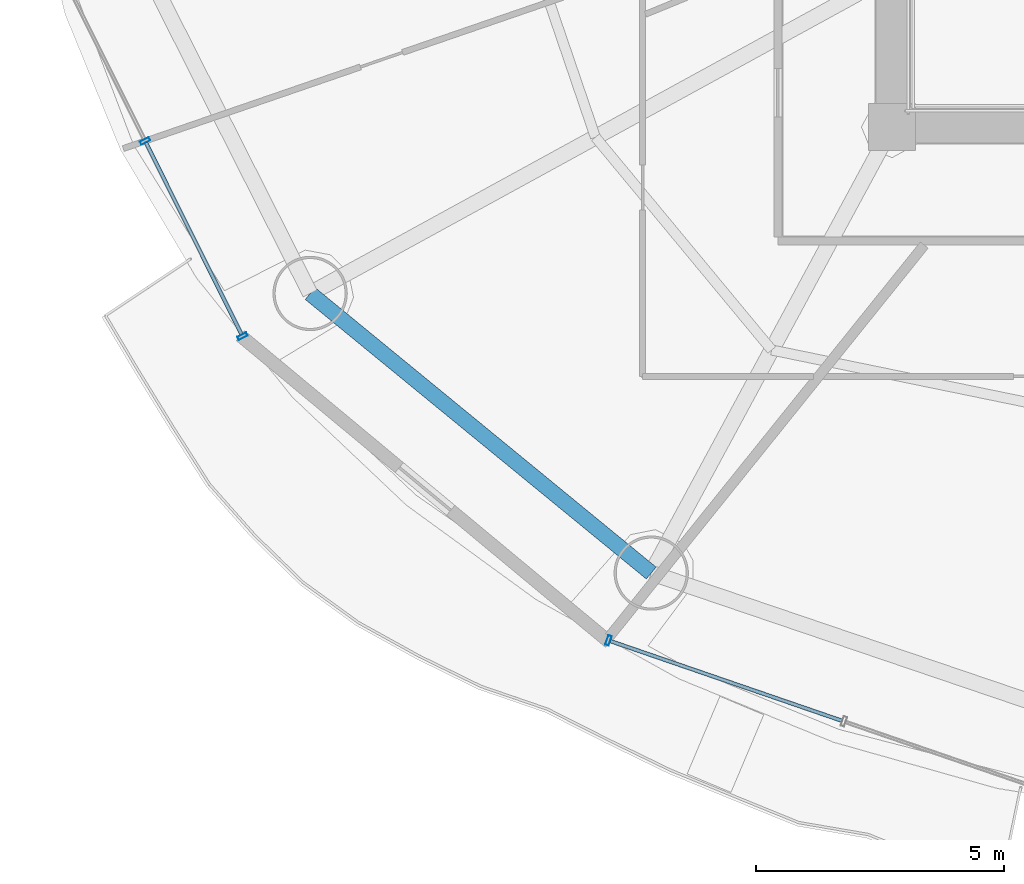
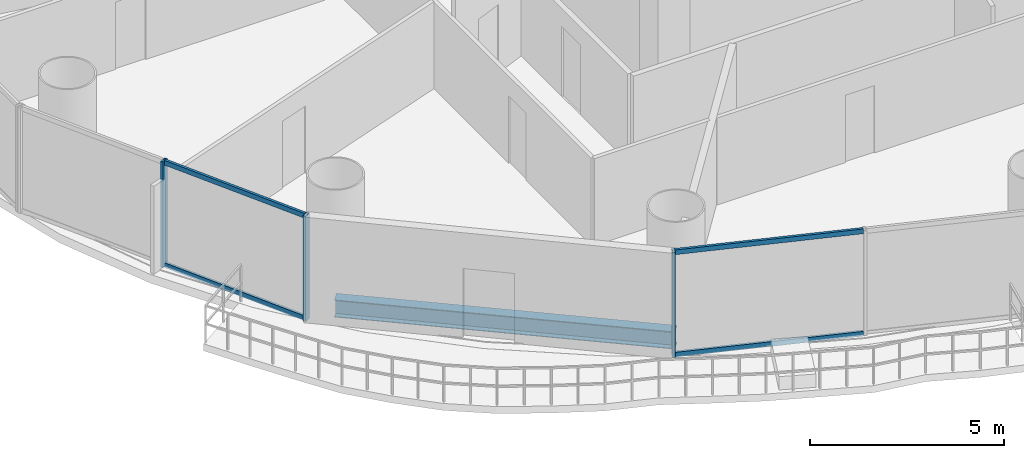
# One storey, part 2 of 29: 7 members, 1 beam, 2 elements without a shape of their own.
"""IFC4 building model written with IfcOpenShell, lengths in metres."""

import ifcopenshell
import ifcopenshell.guid

model = None  # the IFC model being written
_history = None  # IfcOwnerHistory: only IFC2X3 demands one
_inside = {}  # id of a spatial element -> (the spatial element, [elements in it])
_under = {}  # id of a project, library or spatial element -> (it, [spatial elements below it])
_declared = {}  # id of a project -> (the project, [libraries it declares])
_typed = {}  # id of a type object -> (the type object, [elements of that type])
_made_of = {}  # id of a material, layer set ... -> (it, [elements and type objects made of it])


def new_model(schema):
    """Start an empty IFC model of exactly this schema.

    Asked for "IFC4X3", IfcOpenShell would pick the latest addendum, in which some entities
    have other attributes; the version numbers below select the first issue.
    IFC2X3 requires an IfcOwnerHistory on every rooted entity: one is made here for all.
    """
    global model, _history
    if schema == "IFC4X3":
        model = ifcopenshell.file(schema_version=(4, 3, 0, 0))
    else:
        model = ifcopenshell.file(schema=schema)
    _inside.clear()
    _under.clear()
    _declared.clear()
    _typed.clear()
    _made_of.clear()
    _history = None
    if model.schema == "IFC2X3":
        org = make("IfcOrganization", Name="unknown")
        user = make(
            "IfcPersonAndOrganization",
            ThePerson=make("IfcPerson", FamilyName="unknown"),
            TheOrganization=org,
        )
        app = make(
            "IfcApplication",
            ApplicationDeveloper=org,
            Version="unknown",
            ApplicationFullName="unknown",
            ApplicationIdentifier="unknown",
        )
        _history = make(
            "IfcOwnerHistory",
            OwningUser=user,
            OwningApplication=app,
            ChangeAction="ADDED",
            CreationDate=0,
        )
    return model


def make(cls, **values):
    """One entity of the class cls with the attributes given. An attribute that is None is left unset."""
    return model.create_entity(
        cls, **{name: value for name, value in values.items() if value is not None}
    )


def rooted(cls, **values):
    """An entity with a GlobalId (a new one), such as an element, a storey or a relation."""
    return make(cls, GlobalId=ifcopenshell.guid.new(), OwnerHistory=_history, **values)


def si_unit(unit_type, name, prefix=None):
    """IfcSIUnit, for example si_unit("LENGTHUNIT", "METRE", prefix="MILLI")."""
    return make("IfcSIUnit", UnitType=unit_type, Prefix=prefix, Name=name)


def assignment(units):
    """IfcUnitAssignment: the units of a project."""
    return None if units is None else make("IfcUnitAssignment", Units=units)


def point(xyz):
    """IfcCartesianPoint."""
    return None if xyz is None else make("IfcCartesianPoint", Coordinates=xyz)


def direction(xyz):
    """IfcDirection."""
    return None if xyz is None else make("IfcDirection", DirectionRatios=xyz)


def frame(location, z_axis=None, x_axis=None):
    """IfcAxis2Placement3D, a coordinate frame: its origin and axes. An axis left out is left unset."""
    return make(
        "IfcAxis2Placement3D",
        Location=point(location),
        Axis=direction(z_axis),
        RefDirection=direction(x_axis),
    )


def frame_2d(location, x_axis=None):
    """IfcAxis2Placement2D, a coordinate frame in the plane: its origin and x axis."""
    return make(
        "IfcAxis2Placement2D", Location=point(location), RefDirection=direction(x_axis)
    )


def origin():
    """The frame at (0, 0, 0) with its axes left unset."""
    return frame((0.0, 0.0, 0.0))


def origin_2d():
    """The frame at (0, 0) in the plane with its x axis left unset."""
    return frame_2d((0.0, 0.0))


def place(relative_to, where):
    """IfcLocalPlacement: puts the frame where relative to a parent placement (None: the world)."""
    return make(
        "IfcLocalPlacement", PlacementRelTo=relative_to, RelativePlacement=where
    )


def context(
    kind, dimensions, precision=None, world=None, true_north=None, identifier=None
):
    """IfcGeometricRepresentationContext, for example the 3D "Model" context."""
    return make(
        "IfcGeometricRepresentationContext",
        ContextIdentifier=identifier,
        ContextType=kind,
        CoordinateSpaceDimension=dimensions,
        Precision=precision,
        WorldCoordinateSystem=world,
        TrueNorth=true_north,
    )


def subcontext(parent, identifier, kind, view, scale=None):
    """IfcGeometricRepresentationSubContext, for example "Body" below "Model"."""
    return make(
        "IfcGeometricRepresentationSubContext",
        ContextIdentifier=identifier,
        ContextType=kind,
        ParentContext=parent,
        TargetScale=scale,
        TargetView=view,
    )


def project(units=None, contexts=None):
    """IfcProject with its units and contexts."""
    return rooted(
        "IfcProject",
        Name="project",
        RepresentationContexts=contexts,
        UnitsInContext=assignment(units),
    )


def spatial(cls, under=None, at=None, **own):
    """A site, building, storey or space (cls), placed at a placement, below another one or the project."""
    s = rooted(cls, ObjectPlacement=at, **own)
    if under is not None:
        _under.setdefault(under.id(), (under, []))[1].append(s)
    return s


def profile(cls, at=None, kind="AREA", **sizes):
    """A parametric profile (cls). Its sizes go by their IFC names, for example OverallWidth=200.0."""
    return make(cls, ProfileType=kind, Position=at, **sizes)


def hollow_rectangle(**sizes):
    """IfcRectangleHollowProfileDef."""
    return profile("IfcRectangleHollowProfileDef", **sizes)


def i_section(**sizes):
    """IfcIShapeProfileDef."""
    return profile("IfcIShapeProfileDef", **sizes)


def extrude(swept, where, along, depth):
    """IfcExtrudedAreaSolid: the profile swept, set in the frame where, extruded along a direction by depth."""
    return make(
        "IfcExtrudedAreaSolid",
        SweptArea=swept,
        Position=where,
        ExtrudedDirection=direction(along),
        Depth=depth,
    )


def shape(context_of_items, identifier, shape_type, items):
    """IfcShapeRepresentation: the items that make up one representation, for example the "Body"."""
    return make(
        "IfcShapeRepresentation",
        ContextOfItems=context_of_items,
        RepresentationIdentifier=identifier,
        RepresentationType=shape_type,
        Items=items,
    )


def source(mapping_origin, context_of_items, identifier, shape_type, items):
    """IfcRepresentationMap: a shape defined once, which mapped items show again and again."""
    return make(
        "IfcRepresentationMap",
        MappingOrigin=mapping_origin,
        MappedRepresentation=shape(context_of_items, identifier, shape_type, items),
    )


def transform(
    local_origin,
    x_axis=None,
    y_axis=None,
    z_axis=None,
    scale=None,
    scale2=None,
    scale3=None,
    uniform=True,
):
    """IfcCartesianTransformationOperator3D, or its non-uniform kind. x_axis, y_axis, z_axis: its Axis1, 2, 3."""
    if uniform:
        return make(
            "IfcCartesianTransformationOperator3D",
            Axis1=direction(x_axis),
            Axis2=direction(y_axis),
            LocalOrigin=point(local_origin),
            Scale=scale,
            Axis3=direction(z_axis),
        )
    return make(
        "IfcCartesianTransformationOperator3DnonUniform",
        Axis1=direction(x_axis),
        Axis2=direction(y_axis),
        LocalOrigin=point(local_origin),
        Scale=scale,
        Axis3=direction(z_axis),
        Scale2=scale2,
        Scale3=scale3,
    )


def mapped(mapping_source, mapping_target):
    """IfcMappedItem: shows the shape of a source again, moved by a transform."""
    return make(
        "IfcMappedItem", MappingSource=mapping_source, MappingTarget=mapping_target
    )


def material(Name=None, Category=None):
    """IfcMaterial."""
    return make("IfcMaterial", Name=Name, Category=Category)


def material_profile(
    of_material, cross_section, Name=None, Category=None, Priority=None
):
    """IfcMaterialProfile: a cross section and its material."""
    return make(
        "IfcMaterialProfile",
        Name=Name,
        Material=of_material,
        Profile=cross_section,
        Priority=Priority,
        Category=Category,
    )


def profile_set(profiles, Name=None, composite=None):
    """IfcMaterialProfileSet."""
    return make(
        "IfcMaterialProfileSet",
        Name=Name,
        MaterialProfiles=profiles,
        CompositeProfile=composite,
    )


def made_of(thing, what):
    """Note that an element or type object is made of a material, layer set ...; save() writes the relation."""
    if what is not None:
        _made_of.setdefault(what.id(), (what, []))[1].append(thing)
    return thing


def type_object(cls, material=None, **own):
    """A type object (cls), such as IfcWallType, which elements share."""
    return made_of(rooted(cls, **own), material)


def element(
    cls,
    number,
    at=None,
    inside=None,
    cuts=None,
    type_object=None,
    material=None,
    context=None,
    identifier="Body",
    shape_type=None,
    held_by="IfcProductDefinitionShape",
    body=None,
    shapes=None,
    **own,
):
    """One element of the class cls, such as IfcWall. Its Tag is "e" and its number.

    at: its placement. inside: the storey or other place that contains it. cuts: it is an
    opening in that element (IfcRelVoidsElement). A single representation is given by context,
    identifier, shape_type and body (its items); several are given by shapes. held_by: the class
    of the entity that holds the representations. save() writes the other relations.
    """
    e = rooted(cls, Tag="e%d" % number, ObjectPlacement=at, **own)
    if body is not None:
        shapes = [shape(context, identifier, shape_type, body)]
    if shapes is not None:
        e.Representation = make(held_by, Representations=shapes)
    if inside is not None:
        _inside.setdefault(inside.id(), (inside, []))[1].append(e)
    if cuts is not None:
        rooted(
            "IfcRelVoidsElement", RelatingBuildingElement=cuts, RelatedOpeningElement=e
        )
    if type_object is not None:
        _typed.setdefault(type_object.id(), (type_object, []))[1].append(e)
    return made_of(e, material)


def aggregate(whole, parts):
    """IfcRelAggregates: a whole, such as a stair, and the parts it consists of."""
    return rooted("IfcRelAggregates", RelatingObject=whole, RelatedObjects=parts)


def save(model, path):
    """Write the relations noted so far, then the file.

    IfcRelAggregates (storeys below a building ...), IfcRelContainedInSpatialStructure (elements
    in a storey), IfcRelDefinesByType, IfcRelAssociatesMaterial and IfcRelDeclares: one each for
    every whole, place, type object, material and project.
    """
    for whole, parts in _under.values():
        aggregate(whole, parts)
    for where, things in _inside.values():
        rooted(
            "IfcRelContainedInSpatialStructure",
            RelatedElements=things,
            RelatingStructure=where,
        )
    for kind, things in _typed.values():
        rooted("IfcRelDefinesByType", RelatedObjects=things, RelatingType=kind)
    for what, things in _made_of.values():
        rooted("IfcRelAssociatesMaterial", RelatedObjects=things, RelatingMaterial=what)
    for by, libraries in _declared.values():
        rooted("IfcRelDeclares", RelatingContext=by, RelatedDefinitions=libraries)
    model.write(path)


model = new_model("IFC4")

# Units and contexts
model_context = context("Model", 3, precision=1e-05, world=origin(), true_north=direction((-0.2419218956, 0.970295726276)))
body_context = subcontext(model_context, "Body", "Model", "MODEL_VIEW")
ifc_project = project(units=[si_unit("LENGTHUNIT", "METRE"), si_unit("AREAUNIT", "SQUARE_METRE"), si_unit("VOLUMEUNIT", "CUBIC_METRE"), si_unit("PLANEANGLEUNIT", "RADIAN"), si_unit("MASSUNIT", "GRAM", prefix="KILO")], contexts=[model_context])

# Site, building, storey
site_placement = place(None, origin())
site = spatial("IfcSite", under=ifc_project, at=site_placement, CompositionType="ELEMENT")
building_placement = place(site_placement, origin())
building = spatial("IfcBuilding", under=site, at=building_placement, Name="Cobrevalo Terracotta Tower", CompositionType="ELEMENT")
storey_placement = place(building_placement, frame((0.0, 0.0, 115.800048828125)))
storey = spatial("IfcBuildingStorey", under=building, at=storey_placement, Name="L30", CompositionType="ELEMENT", Elevation=115.800048828125)

# Beam
ifc_material_1 = material(Name="Steel S355", Category="steel")
ifc_material_profile_1 = material_profile(ifc_material_1, i_section(OverallWidth=0.31201171875, OverallDepth=0.54296875, WebThickness=0.0126953125, FlangeThickness=0.020263671875, at=origin_2d()), Name="W 530x150")
ifc_profile_set_1 = profile_set([ifc_material_profile_1], Name="Steel S355")
beam_type = type_object("IfcBeamType", Name="Structural Spandrel W 530x150 (Steel S355)", PredefinedType="SPANDREL", material=ifc_profile_set_1)
beam_placement = place(storey_placement, frame((17.2548828125, 15.4384765625, -0.546630859375), z_axis=(0.773400923541, -0.633917196064, 0.0), x_axis=(0.633917196064, 0.773400923541, 0.0)))
element("IfcBeam", 1, at=beam_placement, inside=storey, type_object=beam_type, Name="L30 perimeter ring spandrel 10", PredefinedType="SPANDREL", context=body_context, shape_type="SweptSolid", body=[
    extrude(i_section(OverallWidth=0.31201171875, OverallDepth=0.54296875, WebThickness=0.0126953125, FlangeThickness=0.020263671875, at=origin_2d()), origin(), (0.0, 0.0, 1.0), 8.900390625),
])

# Curtain wall, members
ifc_material_2 = material(Name="Anodized aluminium", Category="aluminium")
curtain_wall_type = type_object("IfcCurtainWallType", Name="Lower-tower unitised acoustic low-E curtain wall CW-U1", PredefinedType="NOTDEFINED", material=ifc_material_2)
curtain_wall_1_placement = place(storey_placement, origin())
curtain_wall_1 = element("IfcCurtainWall", 2, at=curtain_wall_1_placement, inside=storey, type_object=curtain_wall_type, Name="L30 curtain wall CW-L30-S09", PredefinedType="NOTDEFINED")
ifc_material_profile_2 = material_profile(ifc_material_2, hollow_rectangle(XDim=0.074951171875, YDim=0.199951171875, WallThickness=0.0048828125, at=origin_2d()), Name="CWM 75x200")
ifc_profile_set_2 = profile_set([ifc_material_profile_2], Name="Anodized aluminium")
member_type_1 = type_object("IfcMemberType", Name="Lower/mid tower unitised mullion 75x200", PredefinedType="MULLION", material=ifc_profile_set_2)
shared_shape_1 = source(origin(), body_context, "Body", "SweptSolid", [
    extrude(hollow_rectangle(XDim=0.074951171875, YDim=0.199951171875, WallThickness=0.0048828125, at=origin_2d()), origin(), (0.0, 0.0, 1.0), 3.324951171875),
])
member_1_placement = place(storey_placement, frame((13.924072265625, 18.516357421875, 0.0), z_axis=(0.0, 0.0, 1.0), x_axis=(0.446260290227, -0.894903208937, 0.0)))
member_1 = element("IfcMember", 3, at=member_1_placement, type_object=member_type_1, Name="CW-L30-S09 vertical mullion 02", PredefinedType="MULLION", context=body_context, shape_type="MappedRepresentation", body=[
    mapped(shared_shape_1, transform((0.0, 0.0, 0.0), scale=1.0)),
])
member_2_placement = place(storey_placement, frame((15.889892578125, 14.574462890625, 0.0), z_axis=(0.0, 0.0, 1.0), x_axis=(0.446260290227, -0.894903208937, 0.0)))
member_2 = element("IfcMember", 4, at=member_2_placement, type_object=member_type_1, Name="CW-L30-S09 vertical mullion 03", PredefinedType="MULLION", context=body_context, shape_type="MappedRepresentation", body=[
    mapped(shared_shape_1, transform((0.0, 0.0, 0.0), scale=1.0)),
])

curtain_wall_2_placement = place(storey_placement, origin())
curtain_wall_2 = element("IfcCurtainWall", 5, at=curtain_wall_2_placement, inside=storey, type_object=curtain_wall_type, Name="L30 curtain wall CW-L30-S11", PredefinedType="NOTDEFINED")
member_3_placement = place(storey_placement, frame((23.2763671875, 8.4365234375, 0.0), z_axis=(0.0, 0.0, 1.0), x_axis=(0.94559809868, -0.325337110968, 0.0)))
member_3 = element("IfcMember", 6, at=member_3_placement, type_object=member_type_1, Name="CW-L30-S11 vertical mullion 01", PredefinedType="MULLION", context=body_context, shape_type="MappedRepresentation", body=[
    mapped(shared_shape_1, transform((0.0, 0.0, 0.0), scale=1.0)),
])
ifc_material_profile_3 = material_profile(ifc_material_2, hollow_rectangle(XDim=0.074951171875, YDim=0.14990234375, WallThickness=0.00439453125, at=origin_2d()), Name="CWT 75x150")
ifc_profile_set_3 = profile_set([ifc_material_profile_3], Name="Anodized aluminium")
member_type_2 = type_object("IfcMemberType", Name="Tower unitised aluminium transom 75x150", PredefinedType="USERDEFINED", material=ifc_profile_set_3)
shared_shape_2 = source(origin(), body_context, "Body", "SweptSolid", [
    extrude(hollow_rectangle(XDim=0.074951171875, YDim=0.14990234375, WallThickness=0.00439453125, at=origin_2d()), origin(), (0.0, 0.0, 1.0), 4.944580078125),
])
member_4_placement = place(storey_placement, frame((23.314208984375, 8.42333984375, 0.050048828125), z_axis=(0.945597859971, -0.32533780478, 0.0), x_axis=(0.32533780478, 0.945597859971, 0.0)))
member_4 = element("IfcMember", 7, at=member_4_placement, type_object=member_type_2, Name="CW-L30-S11 transom B01-T1", ObjectType="TRANSOM", PredefinedType="USERDEFINED", context=body_context, shape_type="MappedRepresentation", body=[
    mapped(shared_shape_2, transform((0.0, 0.0, 0.0), scale=1.0)),
])
member_5_placement = place(storey_placement, frame((23.314208984375, 8.42333984375, 3.27490234375), z_axis=(0.945597859971, -0.32533780478, 0.0), x_axis=(0.32533780478, 0.945597859971, 0.0)))
member_5 = element("IfcMember", 8, at=member_5_placement, type_object=member_type_2, Name="CW-L30-S11 transom B01-T2", ObjectType="TRANSOM", PredefinedType="USERDEFINED", context=body_context, shape_type="MappedRepresentation", body=[
    mapped(shared_shape_2, transform((0.0, 0.0, 0.0), scale=1.0)),
])
aggregate(curtain_wall_2, [member_3, member_4, member_5])

# Member
shared_shape_3 = source(origin(), body_context, "Body", "SweptSolid", [
    extrude(hollow_rectangle(XDim=0.074951171875, YDim=0.14990234375, WallThickness=0.00439453125, at=origin_2d()), origin(), (0.0, 0.0, 1.0), 4.324951171875),
])
member_6_placement = place(storey_placement, frame((13.942138671875, 18.480712890625, 0.050048828125), z_axis=(0.446219838389, -0.894923379864, 0.0), x_axis=(0.894923379864, 0.446219838389, 0.0)))
member_6 = element("IfcMember", 9, at=member_6_placement, type_object=member_type_2, Name="CW-L30-S09 transom B02-T1", ObjectType="TRANSOM", PredefinedType="USERDEFINED", context=body_context, shape_type="MappedRepresentation", body=[
    mapped(shared_shape_3, transform((0.0, 0.0, 0.0), scale=1.0)),
])

member_7_placement = place(storey_placement, frame((13.942138671875, 18.480712890625, 3.27490234375), z_axis=(0.446219838389, -0.894923379864, 0.0), x_axis=(0.894923379864, 0.446219838389, 0.0)))
member_7 = element("IfcMember", 10, at=member_7_placement, type_object=member_type_2, Name="CW-L30-S09 transom B02-T2", ObjectType="TRANSOM", PredefinedType="USERDEFINED", context=body_context, shape_type="MappedRepresentation", body=[
    mapped(shared_shape_3, transform((0.0, 0.0, 0.0), scale=1.0)),
])

aggregate(curtain_wall_1, [member_1, member_2, member_6, member_7])

save(model, "model.ifc")
